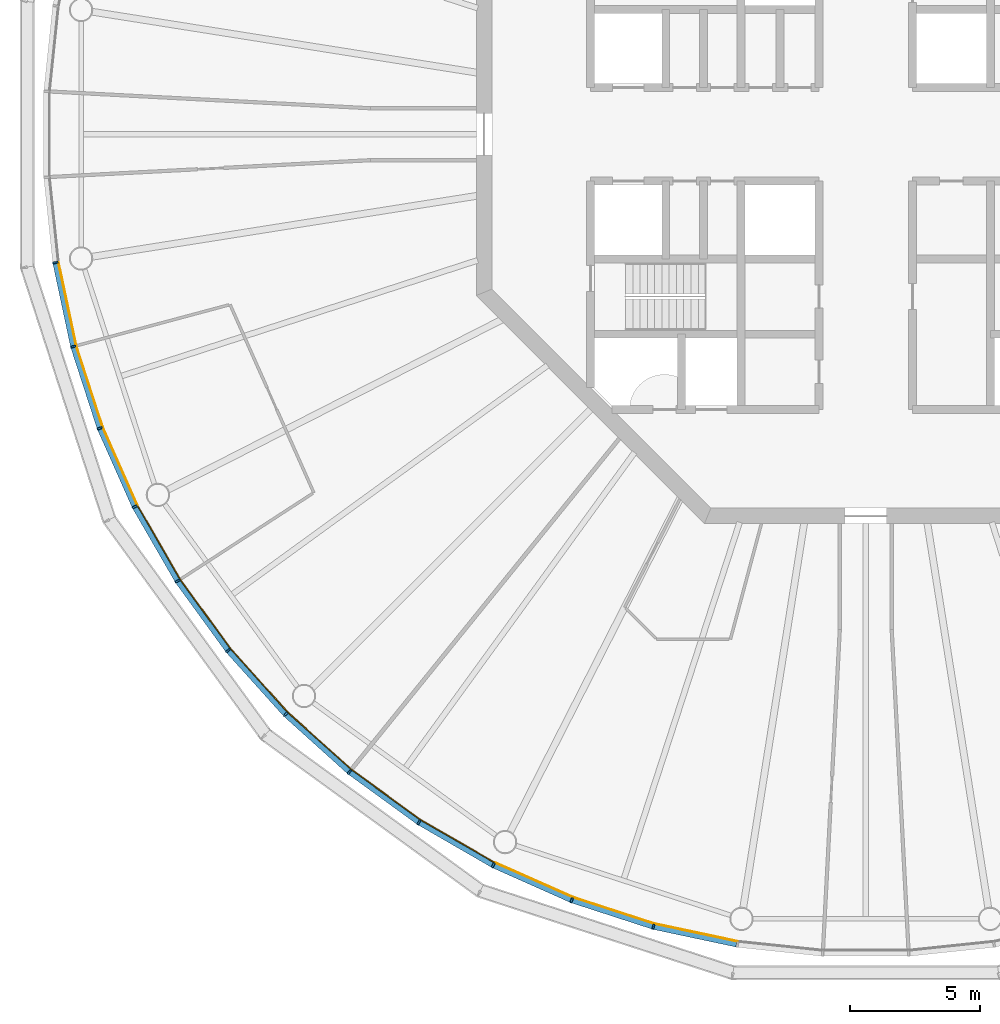
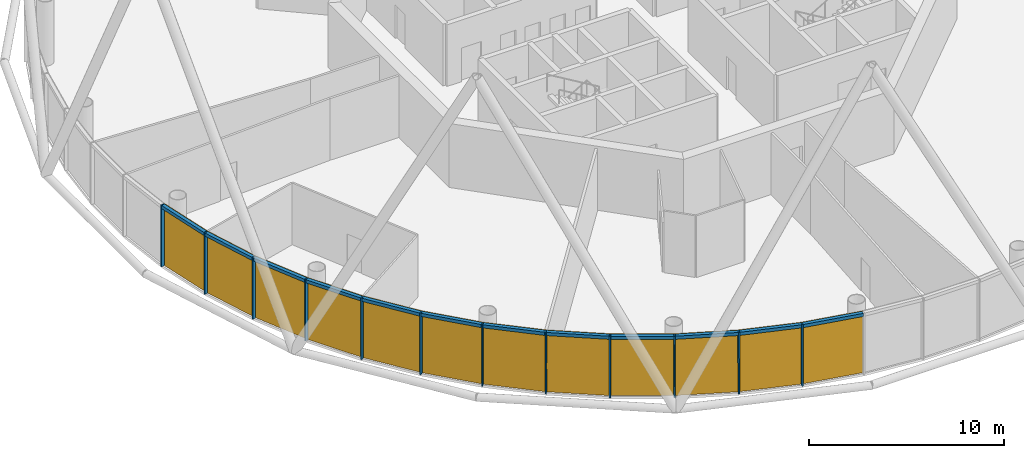
# One storey, part 7 of 13: 24 members, 4 curtain walls.
"""IFC4 building model written with IfcOpenShell, lengths in metres."""

from ifc_helpers import new_model, si_unit, direction, frame, origin, origin_2d, place, context, subcontext, project, spatial, polyline, rectangle, outline, extrude, material, layer, layer_set, material_profile, profile_set, type_object, element, aggregate, save


model = new_model("IFC4")

# Units and contexts
model_context = context("Model", 3, precision=1e-05, world=origin(), true_north=direction((0.0, 1.0)))
body_context = subcontext(model_context, "Body", "Model", "MODEL_VIEW")
ifc_project = project(units=[si_unit("LENGTHUNIT", "METRE"), si_unit("AREAUNIT", "SQUARE_METRE"), si_unit("VOLUMEUNIT", "CUBIC_METRE"), si_unit("PLANEANGLEUNIT", "RADIAN"), si_unit("MASSUNIT", "GRAM", prefix="KILO")], contexts=[model_context])

# Member
ifc_material_1 = material(Name="Anodised aluminium", Category="aluminium")
ifc_material_profile_1 = material_profile(ifc_material_1, rectangle(XDim=0.070068359375, YDim=0.205078125, at=origin_2d()), Name="Mullion 70 x 205 mm anodised aluminium")
ifc_profile_set_1 = profile_set([ifc_material_profile_1], Name="Anodised aluminium")
member_type_1 = type_object("IfcMemberType", Name="Mullion 70 x 205 mm anodised aluminium", PredefinedType="MULLION", material=ifc_profile_set_1)
site_placement = place(None, origin())
building_placement = place(site_placement, origin())
storey_placement = place(building_placement, frame((0.0, 0.0, 372.0)))
member_1_placement = place(storey_placement, frame((58.78662109375, 75.056396484375, 0.0), z_axis=(0.0, 0.0, 1.0), x_axis=(0.15643446504, -0.987688340595, 0.0)))
member_1 = element("IfcMember", 1, at=member_1_placement, type_object=member_type_1, Name="MULLION L86-30", PredefinedType="MULLION", context=body_context, shape_type="SweptSolid", body=[
    extrude(rectangle(XDim=0.070068359375, YDim=0.205078125, at=origin_2d()), origin(), (0.0, 0.0, 1.0), 3.85009765625),
])

member_2_placement = place(storey_placement, frame((59.474365234375, 71.820556640625, 0.0), z_axis=(0.0, 0.0, 1.0), x_axis=(0.258819045103, -0.965925826289, 0.0)))
member_2 = element("IfcMember", 2, at=member_2_placement, type_object=member_type_1, Name="MULLION L86-31", PredefinedType="MULLION", context=body_context, shape_type="SweptSolid", body=[
    extrude(rectangle(XDim=0.070068359375, YDim=0.205078125, at=origin_2d()), origin(), (0.0, 0.0, 1.0), 3.85009765625),
])

member_3_placement = place(storey_placement, frame((60.49658203125, 68.674560546875, 0.0), z_axis=(0.0, 0.0, 1.0), x_axis=(0.358367949545, -0.933580426497, 0.0)))
member_3 = element("IfcMember", 3, at=member_3_placement, type_object=member_type_1, Name="MULLION L86-32", PredefinedType="MULLION", context=body_context, shape_type="SweptSolid", body=[
    extrude(rectangle(XDim=0.070068359375, YDim=0.205078125, at=origin_2d()), origin(), (0.0, 0.0, 1.0), 3.85009765625),
])

member_4_placement = place(storey_placement, frame((61.842041015625, 65.65283203125, 0.0), z_axis=(0.0, 0.0, 1.0), x_axis=(0.45399049974, -0.891006524188, 0.0)))
member_4 = element("IfcMember", 4, at=member_4_placement, type_object=member_type_1, Name="MULLION L86-33", PredefinedType="MULLION", context=body_context, shape_type="SweptSolid", body=[
    extrude(rectangle(XDim=0.070068359375, YDim=0.205078125, at=origin_2d()), origin(), (0.0, 0.0, 1.0), 3.85009765625),
])

member_5_placement = place(storey_placement, frame((63.495849609375, 62.7880859375, 0.0), z_axis=(0.0, 0.0, 1.0), x_axis=(0.544639035015, -0.838670567945, 0.0)))
member_5 = element("IfcMember", 5, at=member_5_placement, type_object=member_type_1, Name="MULLION L86-34", PredefinedType="MULLION", context=body_context, shape_type="SweptSolid", body=[
    extrude(rectangle(XDim=0.070068359375, YDim=0.205078125, at=origin_2d()), origin(), (0.0, 0.0, 1.0), 3.85009765625),
])

member_6_placement = place(storey_placement, frame((65.440185546875, 60.11181640625, 0.0), z_axis=(0.0, 0.0, 1.0), x_axis=(0.62932039105, -0.777145961457, 0.0)))
member_6 = element("IfcMember", 6, at=member_6_placement, type_object=member_type_1, Name="MULLION L86-35", PredefinedType="MULLION", context=body_context, shape_type="SweptSolid", body=[
    extrude(rectangle(XDim=0.070068359375, YDim=0.205078125, at=origin_2d()), origin(), (0.0, 0.0, 1.0), 3.85009765625),
])

member_7_placement = place(storey_placement, frame((67.653564453125, 57.653564453125, 0.0), z_axis=(0.0, 0.0, 1.0), x_axis=(0.707106781187, -0.707106781187, 0.0)))
member_7 = element("IfcMember", 7, at=member_7_placement, type_object=member_type_1, Name="MULLION L86-36", PredefinedType="MULLION", context=body_context, shape_type="SweptSolid", body=[
    extrude(rectangle(XDim=0.070068359375, YDim=0.205078125, at=origin_2d()), origin(), (0.0, 0.0, 1.0), 3.85009765625),
])

member_8_placement = place(storey_placement, frame((70.11181640625, 55.440185546875, 0.0), z_axis=(0.0, 0.0, 1.0), x_axis=(0.777145961457, -0.62932039105, 0.0)))
member_8 = element("IfcMember", 8, at=member_8_placement, type_object=member_type_1, Name="MULLION L86-37", PredefinedType="MULLION", context=body_context, shape_type="SweptSolid", body=[
    extrude(rectangle(XDim=0.070068359375, YDim=0.205078125, at=origin_2d()), origin(), (0.0, 0.0, 1.0), 3.85009765625),
])

member_9_placement = place(storey_placement, frame((72.7880859375, 53.495849609375, 0.0), z_axis=(0.0, 0.0, 1.0), x_axis=(0.838670567945, -0.544639035015, 0.0)))
member_9 = element("IfcMember", 9, at=member_9_placement, type_object=member_type_1, Name="MULLION L86-38", PredefinedType="MULLION", context=body_context, shape_type="SweptSolid", body=[
    extrude(rectangle(XDim=0.070068359375, YDim=0.205078125, at=origin_2d()), origin(), (0.0, 0.0, 1.0), 3.85009765625),
])

member_10_placement = place(storey_placement, frame((75.65283203125, 51.842041015625, 0.0), z_axis=(0.0, 0.0, 1.0), x_axis=(0.891006524188, -0.45399049974, 0.0)))
member_10 = element("IfcMember", 10, at=member_10_placement, type_object=member_type_1, Name="MULLION L86-39", PredefinedType="MULLION", context=body_context, shape_type="SweptSolid", body=[
    extrude(rectangle(XDim=0.070068359375, YDim=0.205078125, at=origin_2d()), origin(), (0.0, 0.0, 1.0), 3.85009765625),
])

member_11_placement = place(storey_placement, frame((78.674560546875, 50.49658203125, 0.0), z_axis=(0.0, 0.0, 1.0), x_axis=(0.933580426497, -0.358367949545, 0.0)))
member_11 = element("IfcMember", 11, at=member_11_placement, type_object=member_type_1, Name="MULLION L86-40", PredefinedType="MULLION", context=body_context, shape_type="SweptSolid", body=[
    extrude(rectangle(XDim=0.070068359375, YDim=0.205078125, at=origin_2d()), origin(), (0.0, 0.0, 1.0), 3.85009765625),
])

member_12_placement = place(storey_placement, frame((81.820556640625, 49.474365234375, 0.0), z_axis=(0.0, 0.0, 1.0), x_axis=(0.965925826289, -0.258819045103, 0.0)))
member_12 = element("IfcMember", 12, at=member_12_placement, type_object=member_type_1, Name="MULLION L86-41", PredefinedType="MULLION", context=body_context, shape_type="SweptSolid", body=[
    extrude(rectangle(XDim=0.070068359375, YDim=0.205078125, at=origin_2d()), origin(), (0.0, 0.0, 1.0), 3.85009765625),
])

ifc_material_2 = material(Name="Anodised aluminium", Category="aluminium")
ifc_material_profile_2 = material_profile(ifc_material_2, rectangle(XDim=0.205078125, YDim=0.195068359375, at=origin_2d()), Name="Transom 195 x 205 mm anodised aluminium")
ifc_profile_set_2 = profile_set([ifc_material_profile_2], Name="Anodised aluminium")
member_type_2 = type_object("IfcMemberType", Name="Transom 195 x 205 mm anodised aluminium", PredefinedType="USERDEFINED", material=ifc_profile_set_2)
member_13_placement = place(storey_placement, frame((58.794921875, 75.016845703125, 3.75244140625), z_axis=(0.207885898771, -0.978153082647, 0.0), x_axis=(0.978153082647, 0.207885898771, 0.0)))
member_13 = element("IfcMember", 13, at=member_13_placement, type_object=member_type_2, Name="TRANSOM L86-30", ObjectType="TRANSOM", PredefinedType="USERDEFINED", context=body_context, shape_type="SweptSolid", body=[
    extrude(rectangle(XDim=0.205078125, YDim=0.195068359375, at=origin_2d()), origin(), (0.0, 0.0, 1.0), 3.227294921875),
])

member_14_placement = place(storey_placement, frame((59.486572265625, 71.7822265625, 3.75244140625), z_axis=(0.309046726844, -0.951046855117, 0.0), x_axis=(0.951046855117, 0.309046726844, 0.0)))
member_14 = element("IfcMember", 14, at=member_14_placement, type_object=member_type_2, Name="TRANSOM L86-31", ObjectType="TRANSOM", PredefinedType="USERDEFINED", context=body_context, shape_type="SweptSolid", body=[
    extrude(rectangle(XDim=0.205078125, YDim=0.195068359375, at=origin_2d()), origin(), (0.0, 0.0, 1.0), 3.22705078125),
])

member_15_placement = place(storey_placement, frame((60.5126953125, 68.6376953125, 3.75244140625), z_axis=(0.406791170024, -0.913521178731, 0.0), x_axis=(0.913521178731, 0.406791170024, 0.0)))
member_15 = element("IfcMember", 15, at=member_15_placement, type_object=member_type_2, Name="TRANSOM L86-32", ObjectType="TRANSOM", PredefinedType="USERDEFINED", context=body_context, shape_type="SweptSolid", body=[
    extrude(rectangle(XDim=0.205078125, YDim=0.195068359375, at=origin_2d()), origin(), (0.0, 0.0, 1.0), 3.22705078125),
])

member_16_placement = place(storey_placement, frame((61.862060546875, 65.61767578125, 3.75244140625), z_axis=(0.500004055213, -0.866023062494, 0.0), x_axis=(0.866023062494, 0.500004055213, 0.0)))
member_16 = element("IfcMember", 16, at=member_16_placement, type_object=member_type_2, Name="TRANSOM L86-33", ObjectType="TRANSOM", PredefinedType="USERDEFINED", context=body_context, shape_type="SweptSolid", body=[
    extrude(rectangle(XDim=0.205078125, YDim=0.195068359375, at=origin_2d()), origin(), (0.0, 0.0, 1.0), 3.22705078125),
])

member_17_placement = place(storey_placement, frame((63.51953125, 62.75537109375, 3.75244140625), z_axis=(0.587802790201, -0.809004252048, 0.0), x_axis=(0.809004252048, 0.587802790201, 0.0)))
member_17 = element("IfcMember", 17, at=member_17_placement, type_object=member_type_2, Name="TRANSOM L86-34", ObjectType="TRANSOM", PredefinedType="USERDEFINED", context=body_context, shape_type="SweptSolid", body=[
    extrude(rectangle(XDim=0.205078125, YDim=0.195068359375, at=origin_2d()), origin(), (0.0, 0.0, 1.0), 3.227294921875),
])

member_18_placement = place(storey_placement, frame((65.467041015625, 60.081787109375, 3.75244140625), z_axis=(0.669144438484, -0.743132370743, 0.0), x_axis=(0.743132370743, 0.669144438484, 0.0)))
member_18 = element("IfcMember", 18, at=member_18_placement, type_object=member_type_2, Name="TRANSOM L86-35", ObjectType="TRANSOM", PredefinedType="USERDEFINED", context=body_context, shape_type="SweptSolid", body=[
    extrude(rectangle(XDim=0.205078125, YDim=0.195068359375, at=origin_2d()), origin(), (0.0, 0.0, 1.0), 3.22705078125),
])

member_19_placement = place(storey_placement, frame((67.68359375, 57.62646484375, 3.75244140625), z_axis=(0.743132370743, -0.669144438484, 0.0), x_axis=(0.669144438484, 0.743132370743, 0.0)))
member_19 = element("IfcMember", 19, at=member_19_placement, type_object=member_type_2, Name="TRANSOM L86-36", ObjectType="TRANSOM", PredefinedType="USERDEFINED", context=body_context, shape_type="SweptSolid", body=[
    extrude(rectangle(XDim=0.205078125, YDim=0.195068359375, at=origin_2d()), origin(), (0.0, 0.0, 1.0), 3.22705078125),
])

member_20_placement = place(storey_placement, frame((70.14453125, 55.41650390625, 3.75244140625), z_axis=(0.809004252048, -0.587802790201, 0.0), x_axis=(0.587802790201, 0.809004252048, 0.0)))
member_20 = element("IfcMember", 20, at=member_20_placement, type_object=member_type_2, Name="TRANSOM L86-37", ObjectType="TRANSOM", PredefinedType="USERDEFINED", context=body_context, shape_type="SweptSolid", body=[
    extrude(rectangle(XDim=0.205078125, YDim=0.195068359375, at=origin_2d()), origin(), (0.0, 0.0, 1.0), 3.227294921875),
])

member_21_placement = place(storey_placement, frame((72.822998046875, 53.4755859375, 3.75244140625), z_axis=(0.866023062494, -0.500004055213, 0.0), x_axis=(0.500004055213, 0.866023062494, 0.0)))
member_21 = element("IfcMember", 21, at=member_21_placement, type_object=member_type_2, Name="TRANSOM L86-38", ObjectType="TRANSOM", PredefinedType="USERDEFINED", context=body_context, shape_type="SweptSolid", body=[
    extrude(rectangle(XDim=0.205078125, YDim=0.195068359375, at=origin_2d()), origin(), (0.0, 0.0, 1.0), 3.22705078125),
])

member_22_placement = place(storey_placement, frame((75.689697265625, 51.825439453125, 3.75244140625), z_axis=(0.913521178731, -0.406791170024, 0.0), x_axis=(0.406791170024, 0.913521178731, 0.0)))
member_22 = element("IfcMember", 22, at=member_22_placement, type_object=member_type_2, Name="TRANSOM L86-39", ObjectType="TRANSOM", PredefinedType="USERDEFINED", context=body_context, shape_type="SweptSolid", body=[
    extrude(rectangle(XDim=0.205078125, YDim=0.195068359375, at=origin_2d()), origin(), (0.0, 0.0, 1.0), 3.22705078125),
])

member_23_placement = place(storey_placement, frame((78.713134765625, 50.48388671875, 3.75244140625), z_axis=(0.951046855117, -0.309046726844, 0.0), x_axis=(0.309046726844, 0.951046855117, 0.0)))
member_23 = element("IfcMember", 23, at=member_23_placement, type_object=member_type_2, Name="TRANSOM L86-40", ObjectType="TRANSOM", PredefinedType="USERDEFINED", context=body_context, shape_type="SweptSolid", body=[
    extrude(rectangle(XDim=0.205078125, YDim=0.195068359375, at=origin_2d()), origin(), (0.0, 0.0, 1.0), 3.22705078125),
])

member_24_placement = place(storey_placement, frame((81.860107421875, 49.4658203125, 3.75244140625), z_axis=(0.978153082647, -0.207885898771, 0.0), x_axis=(0.207885898771, 0.978153082647, 0.0)))
member_24 = element("IfcMember", 24, at=member_24_placement, type_object=member_type_2, Name="TRANSOM L86-41", ObjectType="TRANSOM", PredefinedType="USERDEFINED", context=body_context, shape_type="SweptSolid", body=[
    extrude(rectangle(XDim=0.205078125, YDim=0.195068359375, at=origin_2d()), origin(), (0.0, 0.0, 1.0), 3.227294921875),
])

# Site, building, storey
site = spatial("IfcSite", under=ifc_project, at=site_placement, CompositionType="ELEMENT")
building = spatial("IfcBuilding", under=site, at=building_placement, Name="Entoto Ring Tower", CompositionType="ELEMENT")
storey = spatial("IfcBuildingStorey", under=building, at=storey_placement, Name="L86", CompositionType="ELEMENT", Elevation=372.0)

# Curtain wall
ifc_material_3 = material(Name="Clear low-iron glass", Category="glass")
ifc_layer = layer(ifc_material_3, 0.035888671875)
ifc_layer_set = layer_set([ifc_layer], Name="Clear low-iron glass")
curtain_wall_type = type_object("IfcCurtainWallType", Name="Curtain wall system CW6 glazing 36 mm", PredefinedType="NOTDEFINED", material=ifc_layer_set)
curtain_wall_1_placement = place(storey_placement, origin())
curtain_wall_1 = element("IfcCurtainWall", 25, at=curtain_wall_1_placement, inside=storey, type_object=curtain_wall_type, Name="CW6 L86-11", PredefinedType="NOTDEFINED", context=body_context, shape_type="SweptSolid", body=[
    extrude(outline(polyline([(58.8876953125, 75.072265625), (59.5732421875, 71.84716796875), (60.59228515625, 68.71142578125), (61.933349609375, 65.69921875), (61.96533203125, 65.715576171875), (60.6259765625, 68.724365234375), (59.608154296875, 71.8564453125), (58.92333984375, 75.077880859375), (58.8876953125, 75.072265625)])), origin(), (0.0, 0.0, 1.0), 3.85009765625),
])

aggregate(curtain_wall_1, [member_1, member_2, member_3, member_13, member_14, member_15])

curtain_wall_2_placement = place(storey_placement, origin())
curtain_wall_2 = element("IfcCurtainWall", 26, at=curtain_wall_2_placement, inside=storey, type_object=curtain_wall_type, Name="CW6 L86-12", PredefinedType="NOTDEFINED", context=body_context, shape_type="SweptSolid", body=[
    extrude(outline(polyline([(61.933349609375, 65.69921875), (63.581787109375, 62.84375), (65.52001953125, 60.176513671875), (67.72607421875, 57.72607421875), (67.751708984375, 57.751708984375), (65.5478515625, 60.198974609375), (63.612060546875, 62.863525390625), (61.96533203125, 65.715576171875), (61.933349609375, 65.69921875)])), origin(), (0.0, 0.0, 1.0), 3.85009765625),
])

aggregate(curtain_wall_2, [member_4, member_5, member_6, member_16, member_17, member_18])

curtain_wall_3_placement = place(storey_placement, origin())
curtain_wall_3 = element("IfcCurtainWall", 27, at=curtain_wall_3_placement, inside=storey, type_object=curtain_wall_type, Name="CW6 L86-13", PredefinedType="NOTDEFINED", context=body_context, shape_type="SweptSolid", body=[
    extrude(outline(polyline([(67.72607421875, 57.72607421875), (70.176513671875, 55.52001953125), (72.84375, 53.581787109375), (75.69921875, 51.933349609375), (75.715576171875, 51.96533203125), (72.863525390625, 53.612060546875), (70.198974609375, 55.5478515625), (67.751708984375, 57.751708984375), (67.72607421875, 57.72607421875)])), origin(), (0.0, 0.0, 1.0), 3.85009765625),
])

aggregate(curtain_wall_3, [member_7, member_8, member_9, member_19, member_20, member_21])

curtain_wall_4_placement = place(storey_placement, origin())
curtain_wall_4 = element("IfcCurtainWall", 28, at=curtain_wall_4_placement, inside=storey, type_object=curtain_wall_type, Name="CW6 L86-14", PredefinedType="NOTDEFINED", context=body_context, shape_type="SweptSolid", body=[
    extrude(outline(polyline([(75.69921875, 51.933349609375), (78.71142578125, 50.59228515625), (81.84716796875, 49.5732421875), (85.072265625, 48.8876953125), (85.077880859375, 48.92333984375), (81.8564453125, 49.608154296875), (78.724365234375, 50.6259765625), (75.715576171875, 51.96533203125), (75.69921875, 51.933349609375)])), origin(), (0.0, 0.0, 1.0), 3.85009765625),
])

aggregate(curtain_wall_4, [member_10, member_11, member_12, member_22, member_23, member_24])

save(model, "model.ifc")
